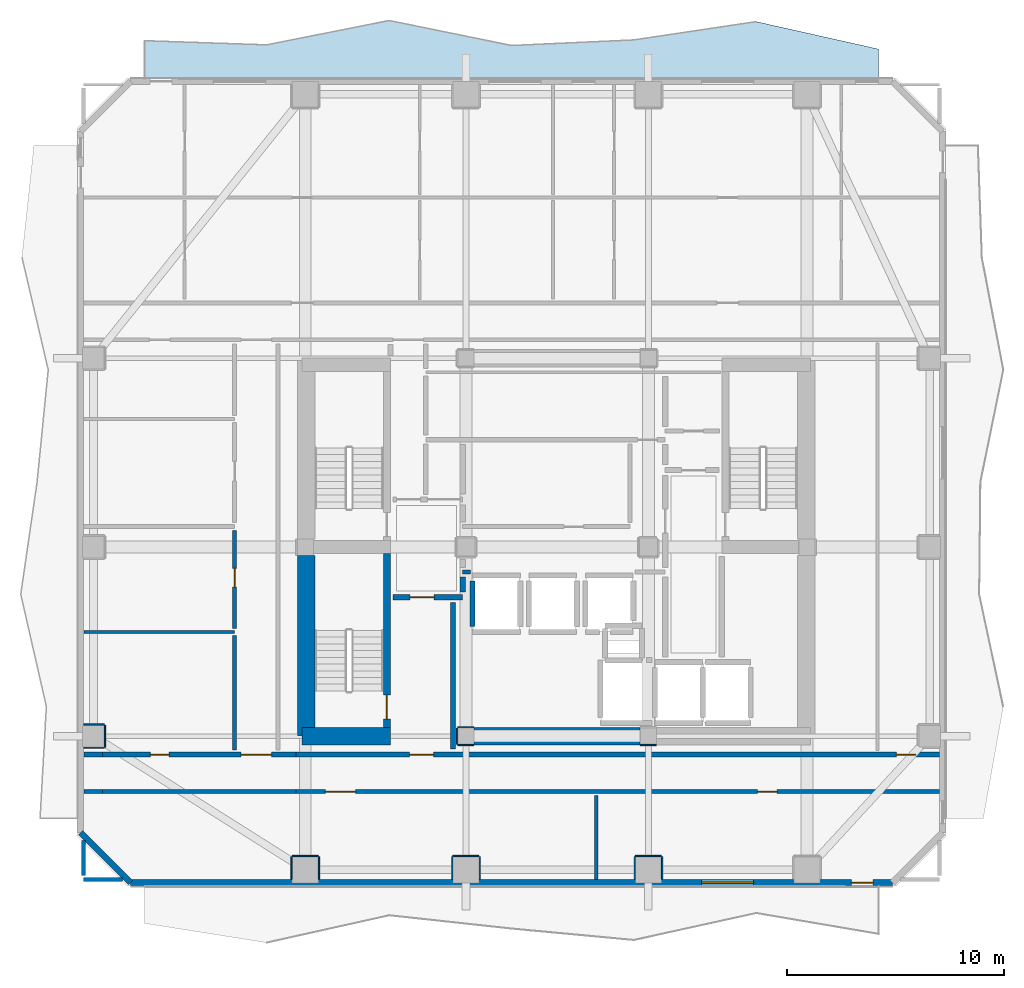
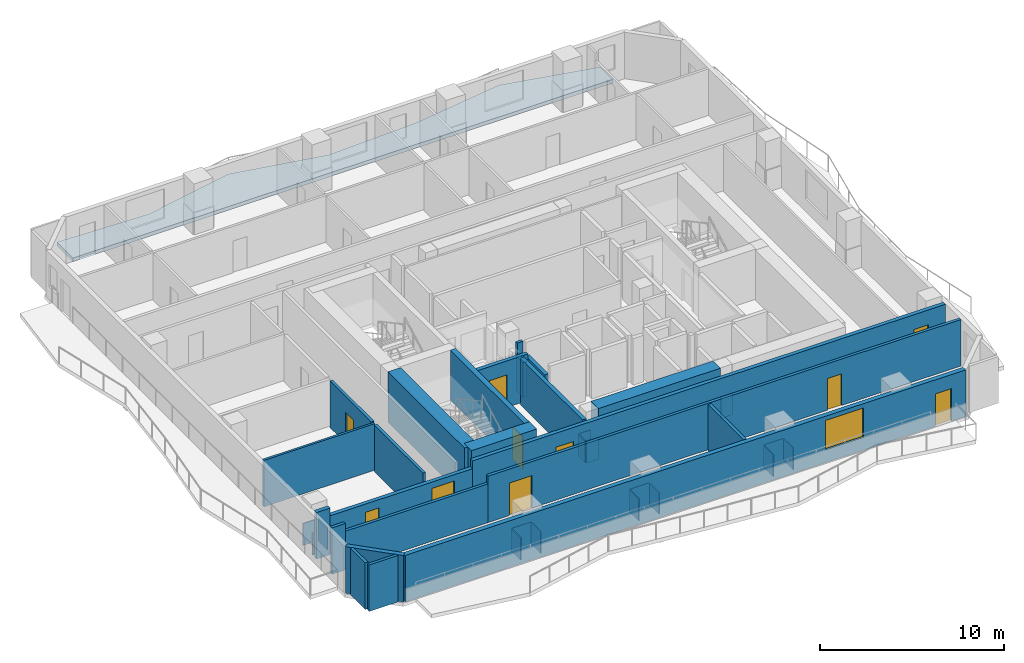
# One storey, part 2 of 10: 39 walls, 10 doors, 1 slab, 1 window, 11 openings.
"""IFC4 building model written with IfcOpenShell, lengths in metres."""

from ifc_helpers import new_model, si_unit, direction, frame, frame_2d, origin, place, context, subcontext, project, spatial, polyline, rectangle, outline, extrude, material, layer, layer_set, type_object, element, fill, save


model = new_model("IFC4")

# Units and contexts
model_context = context("Model", 3, precision=1e-05, world=origin(), true_north=direction((0.0, 1.0)))
body_context = subcontext(model_context, "Body", "Model", "MODEL_VIEW")
ifc_project = project(units=[si_unit("LENGTHUNIT", "METRE"), si_unit("AREAUNIT", "SQUARE_METRE"), si_unit("VOLUMEUNIT", "CUBIC_METRE"), si_unit("PLANEANGLEUNIT", "RADIAN"), si_unit("MASSUNIT", "GRAM", prefix="KILO")], contexts=[model_context])

# Site, building, storey
site_placement = place(None, origin())
site = spatial("IfcSite", under=ifc_project, at=site_placement, CompositionType="ELEMENT")
building_placement = place(site_placement, origin())
building = spatial("IfcBuilding", under=site, at=building_placement, Name="Solanera Arch Residences", CompositionType="ELEMENT")
storey_placement = place(building_placement, frame((0.0, 0.0, 176.8798828125)))
storey = spatial("IfcBuildingStorey", under=building, at=storey_placement, Name="L51", CompositionType="ELEMENT", Elevation=176.8798828125)

# Slab
ifc_material_1 = material(Name="Concrete C40/50 (f'c = 45 MPa)", Category="concrete")
ifc_layer_1 = layer(ifc_material_1, 0.25)
ifc_layer_set_1 = layer_set([ifc_layer_1], Name="Concrete C40/50 (f'c = 45 MPa)")
slab_type = type_object("IfcSlabType", Name="Balcony Slab 250", PredefinedType="FLOOR", material=ifc_layer_set_1)
slab_placement = place(storey_placement, frame((0.0, 0.0, -0.25)))
element("IfcSlab", 1, at=slab_placement, inside=storey, type_object=slab_type, Name="L51 N Rippling Brise-Soleil Balcony Slab", PredefinedType="FLOOR", context=body_context, shape_type="SweptSolid", body=[
    extrude(outline(polyline([(39.800048828125, 53.635009765625), (34.1669921875, 54.89892578125), (28.532958984375, 54.055908203125), (22.89990234375, 53.800048828125), (17.26708984375, 54.949951171875), (11.633056640625, 53.830078125), (6.0, 54.02099609375), (6.0, 52.280029296875), (39.800048828125, 52.280029296875), (39.800048828125, 53.635009765625)])), origin(), (0.0, 0.0, 1.0), 0.25),
])

# Walls
ifc_material_2 = material(Name="Fire-Rated Gypsum Stud Partition", Category="gypsum")
ifc_layer_2 = layer(ifc_material_2, 0.06005859375)
ifc_layer_set_2 = layer_set([ifc_layer_2], Name="Fire-Rated Gypsum Stud Partition")
wall_type_1 = type_object("IfcWallType", Name="Column Acoustic Furring Wall 60", PredefinedType="PARTITIONING", material=ifc_layer_set_2)
for number, where, z_axis, x_axis, name in (
    (2, (20.425048828125, 21.593017578125, 0.0), (0.0, 0.0, 1.0), (1.0, 0.0, 0.0), "L51 Column Furring 1S"),
    (3, (20.425048828125, 22.406982421875, 0.0), (0.0, 0.0, 1.0), (1.0, 0.0, 0.0), "L51 Column Furring 1N"),
):
    element("IfcWall", number, at=place(storey_placement, frame(where, z_axis=z_axis, x_axis=x_axis)), inside=storey, type_object=wall_type_1, Name=name, PredefinedType="PARTITIONING", context=body_context, shape_type="SweptSolid", body=[
        extrude(rectangle(XDim=0.741943359375, YDim=0.06005859375, at=frame_2d((0.37109375, 0.0))), origin(), (0.0, 0.0, 1.0), 1.4501953125),
    ])
wall_1_placement = place(storey_placement, frame((20.39306640625, 21.625, 0.0), z_axis=(0.0, 0.0, 1.0), x_axis=(0.0, 1.0, 0.0)))
element("IfcWall", 4, at=wall_1_placement, inside=storey, type_object=wall_type_1, Name="L51 Column Furring 1W", PredefinedType="PARTITIONING", context=body_context, shape_type="SweptSolid", body=[
    extrude(rectangle(XDim=0.75, YDim=0.06005859375, at=frame_2d((0.375, 0.0))), origin(), (0.0, 0.0, 1.0), 1.4501953125),
])
wall_2_placement = place(storey_placement, frame((28.8330078125, 21.593017578125, 0.0), z_axis=(0.0, 0.0, 1.0), x_axis=(1.0, 0.0, 0.0)))
element("IfcWall", 5, at=wall_2_placement, inside=storey, type_object=wall_type_1, Name="L51 Column Furring 2S", PredefinedType="PARTITIONING", context=body_context, shape_type="SweptSolid", body=[
    extrude(rectangle(XDim=0.73388671875, YDim=0.06005859375, at=frame_2d((0.366943359375, 0.0))), origin(), (0.0, 0.0, 1.0), 1.4501953125),
])
wall_3_placement = place(storey_placement, frame((12.800048828125, 16.48193359375, 0.0), z_axis=(0.0, 0.0, 1.0), x_axis=(1.0, 0.0, 0.0)))
element("IfcWall", 6, at=wall_3_placement, inside=storey, type_object=wall_type_1, Name="L51 Column Furring 9N", PredefinedType="PARTITIONING", context=body_context, shape_type="SweptSolid", body=[
    extrude(rectangle(XDim=1.199951171875, YDim=0.06005859375, at=frame_2d((0.60009765625, 0.0))), origin(), (0.0, 0.0, 1.0), 1.4501953125),
])
for number, where, z_axis, x_axis, name in (
    (7, (12.76806640625, 15.409912109375, 0.0), (0.0, 0.0, 1.0), (0.0, 1.0, 0.0), "L51 Column Furring 9W"),
    (8, (14.031982421875, 15.409912109375, 0.0), (0.0, 0.0, 1.0), (0.0, 1.0, 0.0), "L51 Column Furring 9E"),
):
    element("IfcWall", number, at=place(storey_placement, frame(where, z_axis=z_axis, x_axis=x_axis)), inside=storey, type_object=wall_type_1, Name=name, PredefinedType="PARTITIONING", context=body_context, shape_type="SweptSolid", body=[
        extrude(rectangle(XDim=1.0400390625, YDim=0.06005859375, at=frame_2d((0.52001953125, 0.0))), origin(), (0.0, 0.0, 1.0), 1.4501953125),
    ])
wall_4_placement = place(storey_placement, frame((20.199951171875, 16.48193359375, 0.0), z_axis=(0.0, 0.0, 1.0), x_axis=(1.0, 0.0, 0.0)))
element("IfcWall", 9, at=wall_4_placement, inside=storey, type_object=wall_type_1, Name="L51 Column Furring 11N", PredefinedType="PARTITIONING", context=body_context, shape_type="SweptSolid", body=[
    extrude(rectangle(XDim=1.199951171875, YDim=0.06005859375, at=frame_2d((0.60009765625, 0.0))), origin(), (0.0, 0.0, 1.0), 1.4501953125),
])
for number, where, z_axis, x_axis, name in (
    (10, (20.16796875, 15.409912109375, 0.0), (0.0, 0.0, 1.0), (0.0, 1.0, 0.0), "L51 Column Furring 11W"),
    (11, (21.431884765625, 15.409912109375, 0.0), (0.0, 0.0, 1.0), (0.0, 1.0, 0.0), "L51 Column Furring 11E"),
):
    element("IfcWall", number, at=place(storey_placement, frame(where, z_axis=z_axis, x_axis=x_axis)), inside=storey, type_object=wall_type_1, Name=name, PredefinedType="PARTITIONING", context=body_context, shape_type="SweptSolid", body=[
        extrude(rectangle(XDim=1.0400390625, YDim=0.06005859375, at=frame_2d((0.52001953125, 0.0))), origin(), (0.0, 0.0, 1.0), 1.4501953125),
    ])
wall_5_placement = place(storey_placement, frame((28.60009765625, 16.48193359375, 0.0), z_axis=(0.0, 0.0, 1.0), x_axis=(1.0, 0.0, 0.0)))
element("IfcWall", 12, at=wall_5_placement, inside=storey, type_object=wall_type_1, Name="L51 Column Furring 13N", PredefinedType="PARTITIONING", context=body_context, shape_type="SweptSolid", body=[
    extrude(rectangle(XDim=1.199951171875, YDim=0.06005859375, at=frame_2d((0.60009765625, 0.0))), origin(), (0.0, 0.0, 1.0), 1.4501953125),
])
for number, where, z_axis, x_axis, name in (
    (13, (28.568115234375, 15.409912109375, 0.0), (0.0, 0.0, 1.0), (0.0, 1.0, 0.0), "L51 Column Furring 13W"),
    (14, (29.83203125, 15.409912109375, 0.0), (0.0, 0.0, 1.0), (0.0, 1.0, 0.0), "L51 Column Furring 13E"),
):
    element("IfcWall", number, at=place(storey_placement, frame(where, z_axis=z_axis, x_axis=x_axis)), inside=storey, type_object=wall_type_1, Name=name, PredefinedType="PARTITIONING", context=body_context, shape_type="SweptSolid", body=[
        extrude(rectangle(XDim=1.0400390625, YDim=0.06005859375, at=frame_2d((0.52001953125, 0.0))), origin(), (0.0, 0.0, 1.0), 1.4501953125),
    ])
for number, where, z_axis, x_axis, name in (
    (15, (3.2099609375, 21.468017578125, 0.0), (0.0, 0.0, 1.0), (1.0, 0.0, 0.0), "L51 Column Furring 17S"),
    (16, (3.2099609375, 22.531982421875, 0.0), (0.0, 0.0, 1.0), (1.0, 0.0, 0.0), "L51 Column Furring 17N"),
):
    element("IfcWall", number, at=place(storey_placement, frame(where, z_axis=z_axis, x_axis=x_axis)), inside=storey, type_object=wall_type_1, Name=name, PredefinedType="PARTITIONING", context=body_context, shape_type="SweptSolid", body=[
        extrude(rectangle(XDim=0.93994140625, YDim=0.06005859375, at=frame_2d((0.469970703125, 0.0))), origin(), (0.0, 0.0, 1.0), 1.4501953125),
    ])
wall_6_placement = place(storey_placement, frame((4.181884765625, 21.5, 0.0), z_axis=(0.0, 0.0, 1.0), x_axis=(0.0, 1.0, 0.0)))
element("IfcWall", 17, at=wall_6_placement, inside=storey, type_object=wall_type_1, Name="L51 Column Furring 17E", PredefinedType="PARTITIONING", context=body_context, shape_type="SweptSolid", body=[
    extrude(rectangle(XDim=1.0, YDim=0.06005859375, at=frame_2d((0.5, 0.0))), origin(), (0.0, 0.0, 1.0), 1.4501953125),
])

# Wall, opening, door
ifc_material_3 = material(Name="Concrete C40/50 (f'c = 45 MPa)", Category="concrete")
ifc_layer_3 = layer(ifc_material_3, 0.320068359375)
ifc_layer_set_3 = layer_set([ifc_layer_3], Name="Concrete C40/50 (f'c = 45 MPa)")
wall_type_2 = type_object("IfcWallType", Name="Core Shear Wall CW-320", PredefinedType="SHEAR", material=ifc_layer_set_3)
wall_7_placement = place(storey_placement, frame((17.159912109375, 22.39990234375, 0.0), z_axis=(0.0, 0.0, 1.0), x_axis=(0.0, 1.0, 0.0)))
wall_7 = element("IfcWall", 18, at=wall_7_placement, inside=storey, type_object=wall_type_2, Name="L51 Stair ST-T3 East Shear Wall", PredefinedType="SHEAR", context=body_context, shape_type="SweptSolid", body=[
    extrude(rectangle(XDim=8.0, YDim=0.320068359375, at=frame_2d((4.0, 0.0))), origin(), (0.0, 0.0, 1.0), 3.320068359375),
])
opening_1_placement = place(wall_7_placement, frame((0.389892578125, 0.0, 0.0)))
opening_1 = element("IfcOpeningElement", 19, at=opening_1_placement, cuts=wall_7, Name="Opening DF-01", PredefinedType="OPENING", context=body_context, shape_type="SweptSolid", body=[
    extrude(rectangle(XDim=1.10009765625, YDim=2.14990234375, at=frame_2d((0.550048828125, 1.074951171875))), frame((0.0, 0.169921875, 0.0), z_axis=(0.0, -1.0, 0.0), x_axis=(1.0, 0.0, 0.0)), (0.0, 0.0, 1.0), 0.3401),
])
ifc_material_4 = material(Name="Fire-Rated Architectural Hardwood", Category="wood")
door_type_1 = type_object("IfcDoorType", Name="Stair Exit Fire Door DF-01", OperationType="NOTDEFINED", PredefinedType="DOOR", material=ifc_material_4)
door_1_placement = place(opening_1_placement, origin())
door_1 = element("IfcDoor", 20, at=door_1_placement, inside=storey, type_object=door_type_1, Name="DR-L51-STAIR-ST-T3", OperationType="SINGLE_SWING_LEFT", OverallHeight=2.14990234375, OverallWidth=1.10009765625, PredefinedType="DOOR", context=body_context, shape_type="SweptSolid", body=[
    extrude(rectangle(XDim=1.10009765625, YDim=2.14990234375, at=frame_2d((0.550048828125, 1.074951171875))), frame((0.0, 0.02490234375, 0.0), z_axis=(0.0, -1.0, 0.0), x_axis=(1.0, 0.0, 0.0)), (0.0, 0.0, 1.0), 0.050048828125),
])
fill(opening_1, door_1)

# Walls
ifc_material_5 = material(Name="Concrete C40/50 (f'c = 45 MPa)", Category="concrete")
ifc_layer_4 = layer(ifc_material_5, 0.800048828125)
ifc_layer_set_4 = layer_set([ifc_layer_4], Name="Concrete C40/50 (f'c = 45 MPa)")
wall_type_3 = type_object("IfcWallType", Name="Core Shear Wall CW-800", PredefinedType="SHEAR", material=ifc_layer_set_4)
wall_8_placement = place(storey_placement, frame((13.43994140625, 22.0, 0.0), z_axis=(0.0, 0.0, 1.0), x_axis=(0.0, 1.0, 0.0)))
element("IfcWall", 21, at=wall_8_placement, inside=storey, type_object=wall_type_3, Name="L51 West Core South Shear Wall", PredefinedType="SHEAR", context=body_context, shape_type="SweptSolid", body=[
    extrude(rectangle(XDim=8.320068359375, YDim=0.800048828125, at=frame_2d((4.16015625, 0.0))), origin(), (0.0, 0.0, 1.0), 3.320068359375),
])
wall_9_placement = place(storey_placement, frame((13.239990234375, 22.0, 0.0), z_axis=(0.0, 0.0, 1.0), x_axis=(1.0, 0.0, 0.0)))
element("IfcWall", 22, at=wall_9_placement, inside=storey, type_object=wall_type_3, Name="L51 South-West Core Shear Wall", PredefinedType="SHEAR", context=body_context, shape_type="SweptSolid", body=[
    extrude(rectangle(XDim=4.080078125, YDim=0.800048828125, at=frame_2d((2.0400390625, 0.0))), origin(), (0.0, 0.0, 1.0), 3.320068359375),
])
wall_10_placement = place(storey_placement, frame((21.179931640625, 22.0, 0.0), z_axis=(0.0, 0.0, 1.0), x_axis=(1.0, 0.0, 0.0)))
element("IfcWall", 23, at=wall_10_placement, inside=storey, type_object=wall_type_3, Name="L51 Central South Core Shear Wall", PredefinedType="SHEAR", context=body_context, shape_type="SweptSolid", body=[
    extrude(rectangle(XDim=7.64013671875, YDim=0.800048828125, at=frame_2d((3.820068359375, 0.0))), origin(), (0.0, 0.0, 1.0), 3.320068359375),
])
ifc_material_6 = material(Name="Autoclaved Aerated Concrete Blockwork", Category="masonry")
ifc_layer_5 = layer(ifc_material_6, 0.179931640625)
ifc_layer_set_5 = layer_set([ifc_layer_5], Name="Autoclaved Aerated Concrete Blockwork")
wall_type_4 = type_object("IfcWallType", Name="Corridor Fire Partition 180", PredefinedType="PARTITIONING", material=ifc_layer_set_5)
wall_11_placement = place(storey_placement, frame((3.199951171875, 15.39990234375, 0.0), z_axis=(0.0, 0.0, 1.0), x_axis=(1.0, 0.0, 0.0)))
element("IfcWall", 24, at=wall_11_placement, inside=storey, type_object=wall_type_4, Name="L51 Interior Partition H7 1", PredefinedType="PARTITIONING", context=body_context, shape_type="SweptSolid", body=[
    extrude(rectangle(XDim=1.795166015625, YDim=0.179931640625, at=frame_2d((0.8974609375, 0.0))), origin(), (0.0, 0.0, 1.0), 3.080078125),
])
wall_12_placement = place(storey_placement, frame((3.20703125, 19.449951171875, 0.0), z_axis=(0.0, 0.0, 1.0), x_axis=(1.0, 0.0, 0.0)))
element("IfcWall", 25, at=wall_12_placement, inside=storey, type_object=wall_type_4, Name="L51 Interior Partition H8 1", PredefinedType="PARTITIONING", context=body_context, shape_type="SweptSolid", body=[
    extrude(rectangle(XDim=0.85986328125, YDim=0.179931640625, at=frame_2d((0.429931640625, 0.0))), origin(), (0.0, 0.0, 1.0), 3.080078125),
])
wall_13_placement = place(storey_placement, frame((4.06689453125, 19.449951171875, 0.0), z_axis=(0.0, 0.0, 1.0), x_axis=(1.0, 0.0, 0.0)))
element("IfcWall", 26, at=wall_13_placement, inside=storey, type_object=wall_type_4, Name="L51 Interior Partition H8 2", PredefinedType="PARTITIONING", context=body_context, shape_type="SweptSolid", body=[
    extrude(rectangle(XDim=8.916015625, YDim=0.179931640625, at=frame_2d((4.4580078125, 0.0))), origin(), (0.0, 0.0, 1.0), 2.565185546875),
])

# Wall, openings, doors
wall_14_placement = place(storey_placement, frame((12.98291015625, 19.449951171875, 0.0), z_axis=(0.0, 0.0, 1.0), x_axis=(1.0, 0.0, 0.0)))
wall_14 = element("IfcWall", 27, at=wall_14_placement, inside=storey, type_object=wall_type_4, Name="L51 Interior Partition H8 3", PredefinedType="PARTITIONING", context=body_context, shape_type="SweptSolid", body=[
    extrude(rectangle(XDim=29.610107421875, YDim=0.179931640625, at=frame_2d((14.80517578125, 0.0))), origin(), (0.0, 0.0, 1.0), 3.080078125),
])
opening_2_placement = place(wall_14_placement, frame((1.342041015625, 0.0, 0.0)))
opening_2 = element("IfcOpeningElement", 28, at=opening_2_placement, cuts=wall_14, Name="Opening DF-03", PredefinedType="OPENING", context=body_context, shape_type="SweptSolid", body=[
    extrude(rectangle(XDim=1.39990234375, YDim=2.14990234375, at=frame_2d((0.699951171875, 1.074951171875))), frame((0.0, 0.10009765625, 0.0), z_axis=(0.0, -1.0, 0.0), x_axis=(1.0, 0.0, 0.0)), (0.0, 0.0, 1.0), 0.1999),
])
opening_3_placement = place(wall_14_placement, frame((21.242919921875, 0.0, 0.0)))
opening_3 = element("IfcOpeningElement", 29, at=opening_3_placement, cuts=wall_14, Name="Opening DI-02", PredefinedType="OPENING", context=body_context, shape_type="SweptSolid", body=[
    extrude(rectangle(XDim=0.89990234375, YDim=2.10009765625, at=frame_2d((0.449951171875, 1.050048828125))), frame((0.0, 0.10009765625, 0.0), z_axis=(0.0, -1.0, 0.0), x_axis=(1.0, 0.0, 0.0)), (0.0, 0.0, 1.0), 0.1999),
])
ifc_material_7 = material(Name="Fire-Rated Architectural Hardwood", Category="wood")
door_type_2 = type_object("IfcDoorType", Name="Corridor Smoke Door DF-03", OperationType="NOTDEFINED", PredefinedType="DOOR", material=ifc_material_7)
door_2_placement = place(opening_2_placement, origin())
door_2 = element("IfcDoor", 30, at=door_2_placement, inside=storey, type_object=door_type_2, Name="DR-L51-IN-011", OperationType="SINGLE_SWING_LEFT", OverallHeight=2.14990234375, OverallWidth=1.39990234375, PredefinedType="DOOR", context=body_context, shape_type="SweptSolid", body=[
    extrude(rectangle(XDim=1.39990234375, YDim=2.14990234375, at=frame_2d((0.699951171875, 1.074951171875))), frame((0.0, 0.02490234375, 0.0), z_axis=(0.0, -1.0, 0.0), x_axis=(1.0, 0.0, 0.0)), (0.0, 0.0, 1.0), 0.050048828125),
])
fill(opening_2, door_2)
ifc_material_8 = material(Name="Fire-Rated Architectural Hardwood", Category="wood")
door_type_3 = type_object("IfcDoorType", Name="Suite Room Swing Door DI-02", OperationType="NOTDEFINED", PredefinedType="DOOR", material=ifc_material_8)
door_3_placement = place(opening_3_placement, origin())
door_3 = element("IfcDoor", 31, at=door_3_placement, inside=storey, type_object=door_type_3, Name="DR-L51-IN-017", OperationType="SINGLE_SWING_LEFT", OverallHeight=2.10009765625, OverallWidth=0.89990234375, PredefinedType="DOOR", context=body_context, shape_type="SweptSolid", body=[
    extrude(rectangle(XDim=0.89990234375, YDim=2.10009765625, at=frame_2d((0.449951171875, 1.050048828125))), frame((0.0, 0.02490234375, 0.0), z_axis=(0.0, -1.0, 0.0), x_axis=(1.0, 0.0, 0.0)), (0.0, 0.0, 1.0), 0.050048828125),
])
fill(opening_3, door_3)

# Walls
wall_15_placement = place(storey_placement, frame((20.64990234375, 29.550048828125, 0.0), z_axis=(0.0, 0.0, 1.0), x_axis=(1.0, 0.0, 0.0)))
element("IfcWall", 32, at=wall_15_placement, inside=storey, type_object=wall_type_4, Name="L51 Interior Partition H9 1", PredefinedType="PARTITIONING", context=body_context, shape_type="SweptSolid", body=[
    extrude(rectangle(XDim=0.357177734375, YDim=0.179931640625, at=frame_2d((0.1787109375, 0.0))), origin(), (0.0, 0.0, 1.0), 3.080078125),
])
wall_16_placement = place(storey_placement, frame((3.199951171875, 15.587890625, 0.0), z_axis=(0.0, 0.0, 1.0), x_axis=(0.0, 1.0, 0.0)))
element("IfcWall", 33, at=wall_16_placement, inside=storey, type_object=wall_type_4, Name="L51 Interior Partition V7 1", PredefinedType="PARTITIONING", context=body_context, shape_type="SweptSolid", body=[
    extrude(rectangle(XDim=1.607177734375, YDim=0.179931640625, at=frame_2d((0.8037109375, 0.0))), origin(), (0.0, 0.0, 1.0), 3.080078125),
])
wall_17_placement = place(storey_placement, frame((10.14990234375, 21.367919921875, 0.0), z_axis=(0.0, 0.0, 1.0), x_axis=(0.0, 1.0, 0.0)))
element("IfcWall", 34, at=wall_17_placement, inside=storey, type_object=wall_type_4, Name="L51 Interior Partition V8 1", PredefinedType="PARTITIONING", context=body_context, shape_type="SweptSolid", body=[
    extrude(rectangle(XDim=5.26416015625, YDim=0.179931640625, at=frame_2d((2.632080078125, 0.0))), origin(), (0.0, 0.0, 1.0), 3.080078125),
])

# Wall, opening, door
wall_18_placement = place(storey_placement, frame((10.14990234375, 26.968017578125, 0.0), z_axis=(0.0, 0.0, 1.0), x_axis=(0.0, 1.0, 0.0)))
wall_18 = element("IfcWall", 35, at=wall_18_placement, inside=storey, type_object=wall_type_4, Name="L51 Interior Partition V8 2", PredefinedType="PARTITIONING", context=body_context, shape_type="SweptSolid", body=[
    extrude(rectangle(XDim=4.493896484375, YDim=0.179931640625, at=frame_2d((2.2470703125, 0.0))), origin(), (0.0, 0.0, 1.0), 3.080078125),
])
opening_4_placement = place(wall_18_placement, frame((1.902099609375, 0.0, 0.0)))
opening_4 = element("IfcOpeningElement", 36, at=opening_4_placement, cuts=wall_18, Name="Opening DI-05", PredefinedType="OPENING", context=body_context, shape_type="SweptSolid", body=[
    extrude(rectangle(XDim=0.860107421875, YDim=2.02001953125, at=frame_2d((0.43017578125, 1.010009765625))), frame((0.0, 0.10009765625, 0.0), z_axis=(0.0, -1.0, 0.0), x_axis=(1.0, 0.0, 0.0)), (0.0, 0.0, 1.0), 0.1999),
])
ifc_material_9 = material(Name="Fire-Rated Architectural Hardwood", Category="wood")
door_type_4 = type_object("IfcDoorType", Name="Bathroom Swing Door DI-05", OperationType="NOTDEFINED", PredefinedType="DOOR", material=ifc_material_9)
door_4_placement = place(opening_4_placement, origin())
door_4 = element("IfcDoor", 37, at=door_4_placement, inside=storey, type_object=door_type_4, Name="DR-L51-IN-019", OperationType="SINGLE_SWING_LEFT", OverallHeight=2.02001953125, OverallWidth=0.860107421875, PredefinedType="DOOR", context=body_context, shape_type="SweptSolid", body=[
    extrude(rectangle(XDim=0.860107421875, YDim=2.02001953125, at=frame_2d((0.43017578125, 1.010009765625))), frame((0.0, 0.02490234375, 0.0), z_axis=(0.0, -1.0, 0.0), x_axis=(1.0, 0.0, 0.0)), (0.0, 0.0, 1.0), 0.050048828125),
])
fill(opening_4, door_4)

# Wall
wall_19_placement = place(storey_placement, frame((26.800048828125, 15.406982421875, 0.0), z_axis=(0.0, 0.0, 1.0), x_axis=(0.0, 1.0, 0.0)))
element("IfcWall", 38, at=wall_19_placement, inside=storey, type_object=wall_type_4, Name="L51 Interior Partition V10", PredefinedType="PARTITIONING", context=body_context, shape_type="SweptSolid", body=[
    extrude(rectangle(XDim=3.85498046875, YDim=0.179931640625, at=frame_2d((1.927490234375, 0.0))), origin(), (0.0, 0.0, 1.0), 3.080078125),
])

# Wall, openings, door, window
ifc_material_10 = material(Name="Precast Concrete C35/45", Category="concrete")
ifc_layer_6 = layer(ifc_material_10, 0.280029296875)
ifc_layer_set_6 = layer_set([ifc_layer_6], Name="Precast Concrete C35/45")
wall_type_5 = type_object("IfcWallType", Name="Exterior Wall Precast Masonry-Frame 280", PredefinedType="STANDARD", material=ifc_layer_set_6)
wall_20_placement = place(storey_placement, frame((40.445068359375, 15.2548828125, 0.0), z_axis=(0.0, 0.0, 1.0), x_axis=(-1.0, 0.0, 0.0)))
wall_20 = element("IfcWall", 39, at=wall_20_placement, inside=storey, type_object=wall_type_5, Name="L51 Tower Exterior Precast Masonry-Frame Wall S", PredefinedType="STANDARD", context=body_context, shape_type="SweptSolid", body=[
    extrude(rectangle(XDim=35.090087890625, YDim=0.280029296875, at=frame_2d((17.544921875, 0.0))), origin(), (0.0, 0.0, 1.0), 3.080078125),
])
opening_5_placement = place(wall_20_placement, frame((0.904052734375, 0.0, 0.0)))
opening_5 = element("IfcOpeningElement", 40, at=opening_5_placement, cuts=wall_20, Name="Opening DB-01", PredefinedType="OPENING", context=body_context, shape_type="SweptSolid", body=[
    extrude(rectangle(XDim=1.0, YDim=2.14990234375, at=frame_2d((0.5, 1.074951171875))), frame((0.0, 0.14990234375, 0.0), z_axis=(0.0, -1.0, 0.0), x_axis=(1.0, 0.0, 0.0)), (0.0, 0.0, 1.0), 0.3),
])
opening_6_placement = place(wall_20_placement, frame((6.39501953125, 0.0, 0.85009765625)))
opening_6 = element("IfcOpeningElement", 41, at=opening_6_placement, cuts=wall_20, Name="Opening W-05", PredefinedType="OPENING", context=body_context, shape_type="SweptSolid", body=[
    extrude(rectangle(XDim=2.39990234375, YDim=1.949951171875, at=frame_2d((1.199951171875, 0.97509765625))), frame((0.0, 0.14990234375, 0.0), z_axis=(0.0, -1.0, 0.0), x_axis=(1.0, 0.0, 0.0)), (0.0, 0.0, 1.0), 0.3),
])
ifc_material_11 = material(Name="Anodised Aluminium Alloy 6063-T6", Category="aluminium")
door_type_5 = type_object("IfcDoorType", Name="Glazed Balcony Swing Door DB-01", OperationType="NOTDEFINED", PredefinedType="DOOR", material=ifc_material_11)
door_5_placement = place(opening_5_placement, origin())
door_5 = element("IfcDoor", 42, at=door_5_placement, inside=storey, type_object=door_type_5, Name="DR-L51-OUT-01", OperationType="SINGLE_SWING_LEFT", OverallHeight=2.14990234375, OverallWidth=1.0, PredefinedType="DOOR", context=body_context, shape_type="SweptSolid", body=[
    extrude(rectangle(XDim=1.0, YDim=2.14990234375, at=frame_2d((0.5, 1.074951171875))), frame((0.0, 0.02490234375, 0.0), z_axis=(0.0, -1.0, 0.0), x_axis=(1.0, 0.0, 0.0)), (0.0, 0.0, 1.0), 0.050048828125),
])
fill(opening_5, door_5)
ifc_material_12 = material(Name="Double Glazed Low-E Laminated Glass", Category="glass")
window_type = type_object("IfcWindowType", Name="Punched Window W-05", PartitioningType="TRIPLE_PANEL_VERTICAL", PredefinedType="WINDOW", material=ifc_material_12)
window_placement = place(opening_6_placement, origin())
window = element("IfcWindow", 43, at=window_placement, inside=storey, type_object=window_type, Name="L51 SKYCOW Punched Window", OverallHeight=1.949951171875, OverallWidth=2.39990234375, PartitioningType="SINGLE_PANEL", PredefinedType="WINDOW", context=body_context, shape_type="SweptSolid", body=[
    extrude(rectangle(XDim=2.39990234375, YDim=1.949951171875, at=frame_2d((1.199951171875, 0.97509765625))), frame((0.0, 0.030029296875, 0.0), z_axis=(0.0, -1.0, 0.0), x_axis=(1.0, 0.0, 0.0)), (0.0, 0.0, 1.0), 0.06005859375),
])
fill(opening_6, window)

# Walls
wall_21_placement = place(storey_placement, frame((5.35498046875, 15.2548828125, 0.0), z_axis=(0.0, 0.0, 1.0), x_axis=(-0.707106781187, 0.707106781187, 0.0)))
element("IfcWall", 44, at=wall_21_placement, inside=storey, type_object=wall_type_5, Name="L51 Tower Exterior Precast Masonry-Frame Wall CH7", PredefinedType="STANDARD", context=body_context, shape_type="SweptSolid", body=[
    extrude(rectangle(XDim=3.252685546875, YDim=0.280029296875, at=frame_2d((1.62646484375, 0.0))), origin(), (0.0, 0.0, 1.0), 3.080078125),
])
ifc_material_13 = material(Name="Autoclaved Aerated Concrete Blockwork", Category="masonry")
ifc_layer_7 = layer(ifc_material_13, 0.239990234375)
ifc_layer_set_7 = layer_set([ifc_layer_7], Name="Autoclaved Aerated Concrete Blockwork")
wall_type_6 = type_object("IfcWallType", Name="Shaft Wall Fire-Rated 240", PredefinedType="PARTITIONING", material=ifc_layer_set_7)
wall_22_placement = place(storey_placement, frame((21.10009765625, 27.048095703125, 0.0), z_axis=(0.0, 0.0, 1.0), x_axis=(0.0, 1.0, 0.0)))
element("IfcWall", 45, at=wall_22_placement, inside=storey, type_object=wall_type_6, Name="L51 Lift PL-H1 Hoistway Wall W", PredefinedType="PARTITIONING", context=body_context, shape_type="SweptSolid", body=[
    extrude(rectangle(XDim=2.10400390625, YDim=0.239990234375, at=frame_2d((1.052001953125, 0.0))), origin(), (0.0, 0.0, 1.0), 2.315185546875),
])
wall_23_placement = place(storey_placement, frame((3.20703125, 21.14990234375, 0.0), z_axis=(0.0, 0.0, 1.0), x_axis=(1.0, 0.0, 0.0)))
element("IfcWall", 46, at=wall_23_placement, inside=storey, type_object=wall_type_6, Name="L51 Interior Partition H1 1", PredefinedType="PARTITIONING", context=body_context, shape_type="SweptSolid", body=[
    extrude(rectangle(XDim=0.85986328125, YDim=0.239990234375, at=frame_2d((0.429931640625, 0.0))), origin(), (0.0, 0.0, 1.0), 3.080078125),
])

# Wall, openings, doors
wall_24_placement = place(storey_placement, frame((4.06689453125, 21.14990234375, 0.0), z_axis=(0.0, 0.0, 1.0), x_axis=(1.0, 0.0, 0.0)))
wall_24 = element("IfcWall", 47, at=wall_24_placement, inside=storey, type_object=wall_type_6, Name="L51 Interior Partition H1 2", PredefinedType="PARTITIONING", context=body_context, shape_type="SweptSolid", body=[
    extrude(rectangle(XDim=8.916015625, YDim=0.239990234375, at=frame_2d((4.4580078125, 0.0))), origin(), (0.0, 0.0, 1.0), 2.565185546875),
])
opening_7_placement = place(wall_24_placement, frame((6.383056640625, 0.0, 0.0)))
opening_7 = element("IfcOpeningElement", 48, at=opening_7_placement, cuts=wall_24, Name="Opening DF-03", PredefinedType="OPENING", context=body_context, shape_type="SweptSolid", body=[
    extrude(rectangle(XDim=1.39990234375, YDim=2.14990234375, at=frame_2d((0.699951171875, 1.074951171875))), frame((0.0, 0.1298828125, 0.0), z_axis=(0.0, -1.0, 0.0), x_axis=(1.0, 0.0, 0.0)), (0.0, 0.0, 1.0), 0.26),
])
opening_8_placement = place(wall_24_placement, frame((2.201904296875, 0.0, 0.0)))
opening_8 = element("IfcOpeningElement", 49, at=opening_8_placement, cuts=wall_24, Name="Opening DI-05", PredefinedType="OPENING", context=body_context, shape_type="SweptSolid", body=[
    extrude(rectangle(XDim=0.860107421875, YDim=2.02001953125, at=frame_2d((0.43017578125, 1.010009765625))), frame((0.0, 0.1298828125, 0.0), z_axis=(0.0, -1.0, 0.0), x_axis=(1.0, 0.0, 0.0)), (0.0, 0.0, 1.0), 0.26),
])
door_6_placement = place(opening_8_placement, origin())
door_6 = element("IfcDoor", 50, at=door_6_placement, inside=storey, type_object=door_type_4, Name="DR-L51-IN-018", OperationType="SINGLE_SWING_RIGHT", OverallHeight=2.02001953125, OverallWidth=0.860107421875, PredefinedType="DOOR", context=body_context, shape_type="SweptSolid", body=[
    extrude(rectangle(XDim=0.860107421875, YDim=2.02001953125, at=frame_2d((0.43017578125, 1.010009765625))), frame((0.0, 0.02490234375, 0.0), z_axis=(0.0, -1.0, 0.0), x_axis=(1.0, 0.0, 0.0)), (0.0, 0.0, 1.0), 0.050048828125),
])
fill(opening_8, door_6)
door_7_placement = place(opening_7_placement, origin())
door_7 = element("IfcDoor", 51, at=door_7_placement, inside=storey, type_object=door_type_2, Name="DR-L51-IN-010", OperationType="SINGLE_SWING_RIGHT", OverallHeight=2.14990234375, OverallWidth=1.39990234375, PredefinedType="DOOR", context=body_context, shape_type="SweptSolid", body=[
    extrude(rectangle(XDim=1.39990234375, YDim=2.14990234375, at=frame_2d((0.699951171875, 1.074951171875))), frame((0.0, 0.02490234375, 0.0), z_axis=(0.0, -1.0, 0.0), x_axis=(1.0, 0.0, 0.0)), (0.0, 0.0, 1.0), 0.050048828125),
])
fill(opening_7, door_7)

wall_25_placement = place(storey_placement, frame((12.98291015625, 21.14990234375, 0.0), z_axis=(0.0, 0.0, 1.0), x_axis=(1.0, 0.0, 0.0)))
wall_25 = element("IfcWall", 52, at=wall_25_placement, inside=storey, type_object=wall_type_6, Name="L51 Interior Partition H1 3", PredefinedType="PARTITIONING", context=body_context, shape_type="SweptSolid", body=[
    extrude(rectangle(XDim=29.610107421875, YDim=0.239990234375, at=frame_2d((14.80517578125, 0.0))), origin(), (0.0, 0.0, 1.0), 3.080078125),
])
opening_9_placement = place(wall_25_placement, frame((5.22705078125, 0.0, 0.0)))
opening_9 = element("IfcOpeningElement", 53, at=opening_9_placement, cuts=wall_25, Name="Opening DF-02", PredefinedType="OPENING", context=body_context, shape_type="SweptSolid", body=[
    extrude(rectangle(XDim=1.10009765625, YDim=2.14990234375, at=frame_2d((0.550048828125, 1.074951171875))), frame((0.0, 0.1298828125, 0.0), z_axis=(0.0, -1.0, 0.0), x_axis=(1.0, 0.0, 0.0)), (0.0, 0.0, 1.0), 0.26),
])
opening_10_placement = place(wall_25_placement, frame((27.637939453125, 0.0, 0.0)))
opening_10 = element("IfcOpeningElement", 54, at=opening_10_placement, cuts=wall_25, Name="Opening DI-02", PredefinedType="OPENING", context=body_context, shape_type="SweptSolid", body=[
    extrude(rectangle(XDim=0.89990234375, YDim=2.10009765625, at=frame_2d((0.449951171875, 1.050048828125))), frame((0.0, 0.1298828125, 0.0), z_axis=(0.0, -1.0, 0.0), x_axis=(1.0, 0.0, 0.0)), (0.0, 0.0, 1.0), 0.26),
])
ifc_material_14 = material(Name="Fire-Rated Architectural Hardwood", Category="wood")
door_type_6 = type_object("IfcDoorType", Name="Firefighting Lobby Fire Door DF-02", OperationType="NOTDEFINED", PredefinedType="DOOR", material=ifc_material_14)
door_8_placement = place(opening_9_placement, origin())
door_8 = element("IfcDoor", 55, at=door_8_placement, inside=storey, type_object=door_type_6, Name="DR-L51-IN-008", OperationType="SINGLE_SWING_RIGHT", OverallHeight=2.14990234375, OverallWidth=1.10009765625, PredefinedType="DOOR", context=body_context, shape_type="SweptSolid", body=[
    extrude(rectangle(XDim=1.10009765625, YDim=2.14990234375, at=frame_2d((0.550048828125, 1.074951171875))), frame((0.0, 0.02490234375, 0.0), z_axis=(0.0, -1.0, 0.0), x_axis=(1.0, 0.0, 0.0)), (0.0, 0.0, 1.0), 0.050048828125),
])
fill(opening_9, door_8)
door_9_placement = place(opening_10_placement, origin())
door_9 = element("IfcDoor", 56, at=door_9_placement, inside=storey, type_object=door_type_3, Name="DR-L51-IN-022", OperationType="SINGLE_SWING_RIGHT", OverallHeight=2.10009765625, OverallWidth=0.89990234375, PredefinedType="DOOR", context=body_context, shape_type="SweptSolid", body=[
    extrude(rectangle(XDim=0.89990234375, YDim=2.10009765625, at=frame_2d((0.449951171875, 1.050048828125))), frame((0.0, 0.02490234375, 0.0), z_axis=(0.0, -1.0, 0.0), x_axis=(1.0, 0.0, 0.0)), (0.0, 0.0, 1.0), 0.050048828125),
])
fill(opening_10, door_9)

# Wall, opening, door
wall_26_placement = place(storey_placement, frame((17.449951171875, 28.39990234375, 0.0), z_axis=(0.0, 0.0, 1.0), x_axis=(1.0, 0.0, 0.0)))
wall_26 = element("IfcWall", 57, at=wall_26_placement, inside=storey, type_object=wall_type_6, Name="L51 Interior Partition H3", PredefinedType="PARTITIONING", context=body_context, shape_type="SweptSolid", body=[
    extrude(rectangle(XDim=3.199951171875, YDim=0.239990234375, at=frame_2d((1.60009765625, 0.0))), origin(), (0.0, 0.0, 1.0), 3.080078125),
])
opening_11_placement = place(wall_26_placement, frame((0.783935546875, 0.0, 0.0)))
opening_11 = element("IfcOpeningElement", 58, at=opening_11_placement, cuts=wall_26, Name="Opening DF-02", PredefinedType="OPENING", context=body_context, shape_type="SweptSolid", body=[
    extrude(rectangle(XDim=1.10009765625, YDim=2.14990234375, at=frame_2d((0.550048828125, 1.074951171875))), frame((0.0, 0.1298828125, 0.0), z_axis=(0.0, -1.0, 0.0), x_axis=(1.0, 0.0, 0.0)), (0.0, 0.0, 1.0), 0.26),
])
door_10_placement = place(opening_11_placement, origin())
door_10 = element("IfcDoor", 59, at=door_10_placement, inside=storey, type_object=door_type_6, Name="DR-L51-IN-004", OperationType="SINGLE_SWING_RIGHT", OverallHeight=2.14990234375, OverallWidth=1.10009765625, PredefinedType="DOOR", context=body_context, shape_type="SweptSolid", body=[
    extrude(rectangle(XDim=1.10009765625, YDim=2.14990234375, at=frame_2d((0.550048828125, 1.074951171875))), frame((0.0, 0.02490234375, 0.0), z_axis=(0.0, -1.0, 0.0), x_axis=(1.0, 0.0, 0.0)), (0.0, 0.0, 1.0), 0.050048828125),
])
fill(opening_11, door_10)

# Walls
wall_27_placement = place(storey_placement, frame((20.199951171875, 21.39794921875, 0.0), z_axis=(0.0, 0.0, 1.0), x_axis=(0.0, 1.0, 0.0)))
element("IfcWall", 60, at=wall_27_placement, inside=storey, type_object=wall_type_6, Name="L51 Interior Partition V2", PredefinedType="PARTITIONING", context=body_context, shape_type="SweptSolid", body=[
    extrude(rectangle(XDim=6.754150390625, YDim=0.239990234375, at=frame_2d((3.376953125, 0.0))), origin(), (0.0, 0.0, 1.0), 3.080078125),
])
wall_28_placement = place(storey_placement, frame((20.64990234375, 28.64794921875, 0.0), z_axis=(0.0, 0.0, 1.0), x_axis=(0.0, 1.0, 0.0)))
element("IfcWall", 61, at=wall_28_placement, inside=storey, type_object=wall_type_6, Name="L51 Interior Partition V3 1", PredefinedType="PARTITIONING", context=body_context, shape_type="SweptSolid", body=[
    extrude(rectangle(XDim=0.68408203125, YDim=0.239990234375, at=frame_2d((0.342041015625, 0.0))), origin(), (0.0, 0.0, 1.0), 2.315185546875),
])
ifc_material_15 = material(Name="Autoclaved Aerated Concrete Blockwork", Category="masonry")
ifc_layer_8 = layer(ifc_material_15, 0.139892578125)
ifc_layer_set_8 = layer_set([ifc_layer_8], Name="Autoclaved Aerated Concrete Blockwork")
wall_type_7 = type_object("IfcWallType", Name="Wet-Room Partition 140", PredefinedType="PARTITIONING", material=ifc_layer_set_8)
wall_29_placement = place(storey_placement, frame((3.20703125, 26.800048828125, 0.0), z_axis=(0.0, 0.0, 1.0), x_axis=(1.0, 0.0, 0.0)))
element("IfcWall", 62, at=wall_29_placement, inside=storey, type_object=wall_type_7, Name="L51 Interior Partition H15", PredefinedType="PARTITIONING", context=body_context, shape_type="SweptSolid", body=[
    extrude(rectangle(XDim=6.94287109375, YDim=0.139892578125, at=frame_2d((3.471435546875, 0.0))), origin(), (0.0, 0.0, 1.0), 3.080078125),
])

save(model, "model.ifc")
